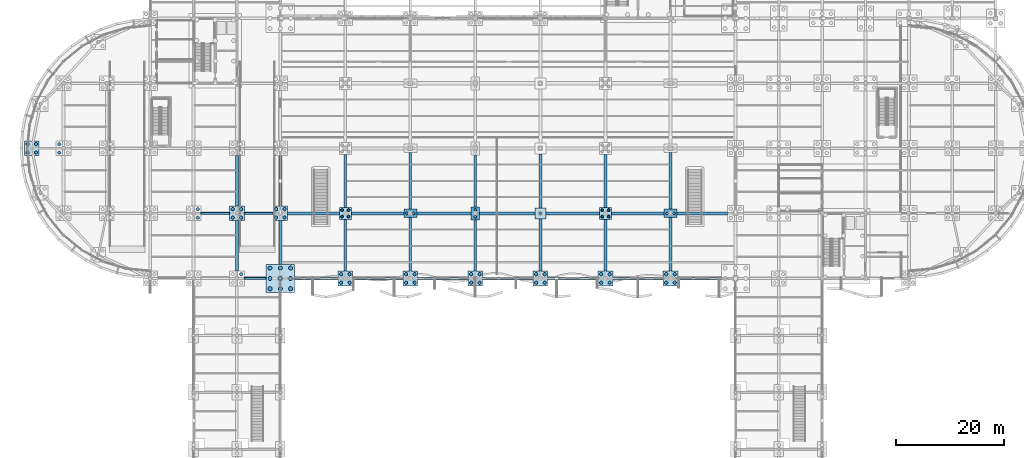
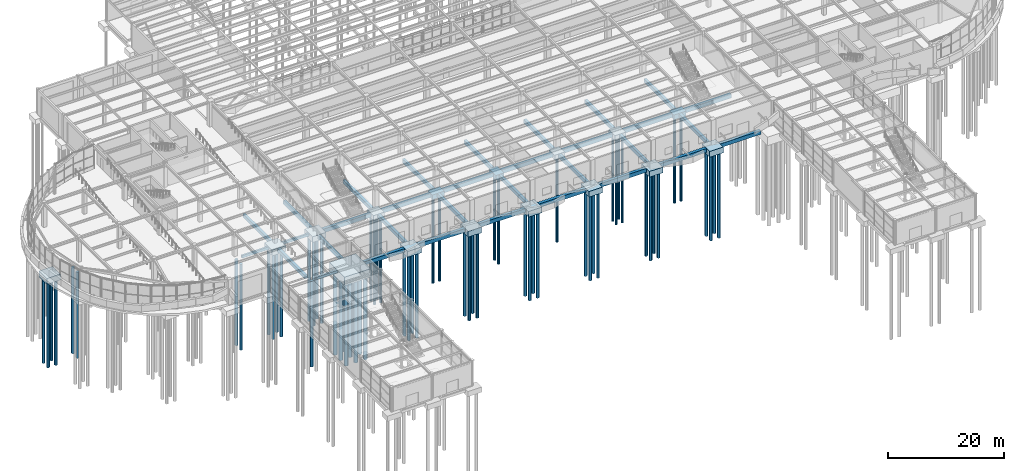
# One storey, part 2 of 85: 65 piles, 49 footings.
"""IFC4 building model written with IfcOpenShell, lengths in metres."""

from ifc_helpers import new_model, si_unit, direction, frame, origin, origin_2d, place, context, subcontext, project, spatial, polyline, rectangle, circle, outline, extrude, material, material_profile, profile_set, type_object, element, save


model = new_model("IFC4")

# Units and contexts
model_context = context("Model", 3, precision=1e-05, world=origin(), true_north=direction((0.0, 1.0)))
body_context = subcontext(model_context, "Body", "Model", "MODEL_VIEW")
ifc_project = project(units=[si_unit("LENGTHUNIT", "METRE"), si_unit("AREAUNIT", "SQUARE_METRE"), si_unit("VOLUMEUNIT", "CUBIC_METRE"), si_unit("PLANEANGLEUNIT", "RADIAN"), si_unit("MASSUNIT", "GRAM", prefix="KILO")], contexts=[model_context])

# Site, building, storey
site_placement = place(None, origin())
site = spatial("IfcSite", under=ifc_project, at=site_placement, CompositionType="ELEMENT")
building_placement = place(site_placement, origin())
building = spatial("IfcBuilding", under=site, at=building_placement, Name="Keelwater Ferry Terminal", CompositionType="ELEMENT")
storey_placement = place(building_placement, origin())
storey = spatial("IfcBuildingStorey", under=building, at=storey_placement, Name="L00", CompositionType="ELEMENT", Elevation=0.0)

# Piles
ifc_material_1 = material(Name="Concrete C45/55", Category="concrete")
ifc_material_profile_1 = material_profile(ifc_material_1, circle(Radius=0.375, at=origin_2d()), Name="PILE D750")
ifc_profile_set_1 = profile_set([ifc_material_profile_1], Name="Concrete C45/55")
pile_type_1 = type_object("IfcPileType", Name="P1 PILE D750", PredefinedType="DRIVEN", material=ifc_profile_set_1)
for number, where, z_axis, x_axis, name in (
    (1, (46.10009765625, 40.10009765625, -2.10009765625), (0.0, 0.0, -1.0), (1.0, 0.0, 0.0), "Driven Pile 0154"),
    (2, (48.0, 40.10009765625, -2.10009765625), (0.0, 0.0, -1.0), (1.0, 0.0, 0.0), "Driven Pile 0155"),
    (3, (49.89990234375, 40.10009765625, -2.10009765625), (0.0, 0.0, -1.0), (1.0, 0.0, 0.0), "Driven Pile 0156"),
    (4, (46.10009765625, 42.0, -2.10009765625), (0.0, 0.0, -1.0), (1.0, 0.0, 0.0), "Driven Pile 0157"),
    (5, (48.0, 42.0, -2.10009765625), (0.0, 0.0, -1.0), (1.0, 0.0, 0.0), "Driven Pile 0158"),
    (6, (49.89990234375, 42.0, -2.10009765625), (0.0, 0.0, -1.0), (1.0, 0.0, 0.0), "Driven Pile 0159"),
    (7, (46.10009765625, 43.89990234375, -2.10009765625), (0.0, 0.0, -1.0), (1.0, 0.0, 0.0), "Driven Pile 0160"),
    (8, (48.0, 43.89990234375, -2.10009765625), (0.0, 0.0, -1.0), (1.0, 0.0, 0.0), "Driven Pile 0161"),
    (9, (49.89990234375, 43.89990234375, -2.10009765625), (0.0, 0.0, -1.0), (1.0, 0.0, 0.0), "Driven Pile 0162"),
):
    element("IfcPile", number, at=place(storey_placement, frame(where, z_axis=z_axis, x_axis=x_axis)), inside=storey, type_object=pile_type_1, Name=name, PredefinedType="DRIVEN", context=body_context, shape_type="SweptSolid", body=[
        extrude(circle(Radius=0.375, at=origin_2d()), origin(), (0.0, 0.0, 1.0), 17.39990234375),
    ])
ifc_material_2 = material(Name="Concrete C45/55", Category="concrete")
ifc_material_profile_2 = material_profile(ifc_material_2, circle(Radius=0.300048828125, at=origin_2d()), Name="PILE D600")
ifc_profile_set_2 = profile_set([ifc_material_profile_2], Name="Concrete C45/55")
pile_type_2 = type_object("IfcPileType", Name="P3 PILE D600", PredefinedType="DRIVEN", material=ifc_profile_set_2)
for number, where, z_axis, x_axis, name in (
    (10, (7.219970703125, 65.219970703125, -1.5), (0.0, 0.0, -1.0), (1.0, 0.0, 0.0), "Driven Pile 0050"),
    (11, (7.219970703125, 66.780029296875, -1.5), (0.0, 0.0, -1.0), (1.0, 0.0, 0.0), "Driven Pile 0052"),
    (12, (32.780029296875, 53.219970703125, -1.5), (0.0, 0.0, -1.0), (1.0, 0.0, 0.0), "Driven Pile 0111"),
    (13, (32.780029296875, 54.780029296875, -1.5), (0.0, 0.0, -1.0), (1.0, 0.0, 0.0), "Driven Pile 0113"),
    (14, (40.780029296875, 42.780029296875, -1.5), (0.0, 0.0, -1.0), (1.0, 0.0, 0.0), "Driven Pile 0133"),
    (15, (39.219970703125, 53.219970703125, -1.5), (0.0, 0.0, -1.0), (1.0, 0.0, 0.0), "Driven Pile 0134"),
    (16, (40.780029296875, 53.219970703125, -1.5), (0.0, 0.0, -1.0), (1.0, 0.0, 0.0), "Driven Pile 0135"),
    (17, (39.219970703125, 54.780029296875, -1.5), (0.0, 0.0, -1.0), (1.0, 0.0, 0.0), "Driven Pile 0136"),
    (18, (40.780029296875, 54.780029296875, -1.5), (0.0, 0.0, -1.0), (1.0, 0.0, 0.0), "Driven Pile 0137"),
    (19, (47.219970703125, 53.219970703125, -1.5), (0.0, 0.0, -1.0), (1.0, 0.0, 0.0), "Driven Pile 0163"),
    (20, (48.780029296875, 53.219970703125, -1.5), (0.0, 0.0, -1.0), (1.0, 0.0, 0.0), "Driven Pile 0164"),
    (21, (47.219970703125, 54.780029296875, -1.5), (0.0, 0.0, -1.0), (1.0, 0.0, 0.0), "Driven Pile 0165"),
    (22, (48.780029296875, 54.780029296875, -1.5), (0.0, 0.0, -1.0), (1.0, 0.0, 0.0), "Driven Pile 0166"),
    (23, (59.219970703125, 41.219970703125, -1.5), (0.0, 0.0, -1.0), (1.0, 0.0, 0.0), "Driven Pile 0188"),
    (24, (60.780029296875, 41.219970703125, -1.5), (0.0, 0.0, -1.0), (1.0, 0.0, 0.0), "Driven Pile 0189"),
    (25, (59.219970703125, 42.780029296875, -1.5), (0.0, 0.0, -1.0), (1.0, 0.0, 0.0), "Driven Pile 0190"),
    (26, (60.780029296875, 42.780029296875, -1.5), (0.0, 0.0, -1.0), (1.0, 0.0, 0.0), "Driven Pile 0191"),
    (27, (71.219970703125, 41.219970703125, -1.5), (0.0, 0.0, -1.0), (1.0, 0.0, 0.0), "Driven Pile 0224"),
    (28, (72.780029296875, 41.219970703125, -1.5), (0.0, 0.0, -1.0), (1.0, 0.0, 0.0), "Driven Pile 0225"),
    (29, (71.219970703125, 42.780029296875, -1.5), (0.0, 0.0, -1.0), (1.0, 0.0, 0.0), "Driven Pile 0226"),
    (30, (72.780029296875, 42.780029296875, -1.5), (0.0, 0.0, -1.0), (1.0, 0.0, 0.0), "Driven Pile 0227"),
    (31, (83.219970703125, 41.219970703125, -1.5), (0.0, 0.0, -1.0), (1.0, 0.0, 0.0), "Driven Pile 0246"),
    (32, (84.780029296875, 41.219970703125, -1.5), (0.0, 0.0, -1.0), (1.0, 0.0, 0.0), "Driven Pile 0247"),
    (33, (83.219970703125, 42.780029296875, -1.5), (0.0, 0.0, -1.0), (1.0, 0.0, 0.0), "Driven Pile 0248"),
    (34, (84.780029296875, 42.780029296875, -1.5), (0.0, 0.0, -1.0), (1.0, 0.0, 0.0), "Driven Pile 0249"),
    (35, (95.219970703125, 41.219970703125, -1.5), (0.0, 0.0, -1.0), (1.0, 0.0, 0.0), "Driven Pile 0268"),
    (36, (96.780029296875, 41.219970703125, -1.5), (0.0, 0.0, -1.0), (1.0, 0.0, 0.0), "Driven Pile 0269"),
    (37, (95.219970703125, 42.780029296875, -1.5), (0.0, 0.0, -1.0), (1.0, 0.0, 0.0), "Driven Pile 0270"),
    (38, (96.780029296875, 42.780029296875, -1.5), (0.0, 0.0, -1.0), (1.0, 0.0, 0.0), "Driven Pile 0271"),
    (39, (107.219970703125, 41.219970703125, -1.5), (0.0, 0.0, -1.0), (1.0, 0.0, 0.0), "Driven Pile 0283"),
    (40, (108.780029296875, 41.219970703125, -1.5), (0.0, 0.0, -1.0), (1.0, 0.0, 0.0), "Driven Pile 0284"),
    (41, (107.219970703125, 42.780029296875, -1.5), (0.0, 0.0, -1.0), (1.0, 0.0, 0.0), "Driven Pile 0285"),
    (42, (108.780029296875, 42.780029296875, -1.5), (0.0, 0.0, -1.0), (1.0, 0.0, 0.0), "Driven Pile 0286"),
    (43, (119.219970703125, 41.219970703125, -1.5), (0.0, 0.0, -1.0), (1.0, 0.0, 0.0), "Driven Pile 0313"),
    (44, (120.780029296875, 41.219970703125, -1.5), (0.0, 0.0, -1.0), (1.0, 0.0, 0.0), "Driven Pile 0314"),
    (45, (119.219970703125, 42.780029296875, -1.5), (0.0, 0.0, -1.0), (1.0, 0.0, 0.0), "Driven Pile 0315"),
    (46, (120.780029296875, 42.780029296875, -1.5), (0.0, 0.0, -1.0), (1.0, 0.0, 0.0), "Driven Pile 0316"),
    (47, (1.3701171875, 65.219970703125, -1.5), (0.0, 0.0, -1.0), (1.0, 0.0, 0.0), "Driven Pile 0623"),
    (48, (2.929931640625, 65.219970703125, -1.5), (0.0, 0.0, -1.0), (1.0, 0.0, 0.0), "Driven Pile 0624"),
    (49, (1.3701171875, 66.780029296875, -1.5), (0.0, 0.0, -1.0), (1.0, 0.0, 0.0), "Driven Pile 0625"),
    (50, (2.929931640625, 66.780029296875, -1.5), (0.0, 0.0, -1.0), (1.0, 0.0, 0.0), "Driven Pile 0626"),
):
    element("IfcPile", number, at=place(storey_placement, frame(where, z_axis=z_axis, x_axis=x_axis)), inside=storey, type_object=pile_type_2, Name=name, PredefinedType="DRIVEN", context=body_context, shape_type="SweptSolid", body=[
        extrude(circle(Radius=0.300048828125, at=origin_2d()), origin(), (0.0, 0.0, 1.0), 18.0),
    ])
ifc_material_3 = material(Name="Concrete C45/55", Category="concrete")
ifc_material_profile_3 = material_profile(ifc_material_3, circle(Radius=0.25, at=origin_2d()), Name="PILE D500")
ifc_profile_set_3 = profile_set([ifc_material_profile_3], Name="Concrete C45/55")
pile_type_3 = type_object("IfcPileType", Name="P4 PILE D500", PredefinedType="DRIVEN", material=ifc_profile_set_3)
for number, where, z_axis, x_axis, name in (
    (51, (71.35009765625, 54.0, -1.300048828125), (0.0, 0.0, -1.0), (1.0, 0.0, 0.0), "Driven Pile 0228"),
    (52, (72.64990234375, 54.0, -1.300048828125), (0.0, 0.0, -1.0), (1.0, 0.0, 0.0), "Driven Pile 0229"),
    (53, (84.0, 53.35009765625, -1.300048828125), (0.0, 0.0, -1.0), (1.0, 0.0, 0.0), "Driven Pile 0250"),
    (54, (84.0, 54.64990234375, -1.300048828125), (0.0, 0.0, -1.0), (1.0, 0.0, 0.0), "Driven Pile 0251"),
    (55, (96.0, 54.0, -1.300048828125), (0.0, 0.0, -1.0), (1.0, 0.0, 0.0), "Driven Pile 0272"),
    (56, (119.35009765625, 54.0, -1.300048828125), (0.0, 0.0, -1.0), (1.0, 0.0, 0.0), "Driven Pile 0317"),
    (57, (120.64990234375, 54.0, -1.300048828125), (0.0, 0.0, -1.0), (1.0, 0.0, 0.0), "Driven Pile 0318"),
):
    element("IfcPile", number, at=place(storey_placement, frame(where, z_axis=z_axis, x_axis=x_axis)), inside=storey, type_object=pile_type_3, Name=name, PredefinedType="DRIVEN", context=body_context, shape_type="SweptSolid", body=[
        extrude(circle(Radius=0.25, at=origin_2d()), origin(), (0.0, 0.0, 1.0), 18.199951171875),
    ])
ifc_material_4 = material(Name="Concrete C45/55", Category="concrete")
ifc_material_profile_4 = material_profile(ifc_material_4, circle(Radius=0.22509765625, at=origin_2d()), Name="PILE D450")
ifc_profile_set_4 = profile_set([ifc_material_profile_4], Name="Concrete C45/55")
pile_type_4 = type_object("IfcPileType", Name="P5 PILE D450", PredefinedType="DRIVEN", material=ifc_profile_set_4)
for number, where, z_axis, x_axis, name in (
    (58, (59.39990234375, 53.39990234375, -1.35009765625), (0.0, 0.0, -1.0), (1.0, 0.0, 0.0), "Driven Pile 0192"),
    (59, (60.60009765625, 53.39990234375, -1.35009765625), (0.0, 0.0, -1.0), (1.0, 0.0, 0.0), "Driven Pile 0193"),
    (60, (59.39990234375, 54.60009765625, -1.35009765625), (0.0, 0.0, -1.0), (1.0, 0.0, 0.0), "Driven Pile 0194"),
    (61, (60.60009765625, 54.60009765625, -1.35009765625), (0.0, 0.0, -1.0), (1.0, 0.0, 0.0), "Driven Pile 0195"),
    (62, (107.39990234375, 53.39990234375, -1.35009765625), (0.0, 0.0, -1.0), (1.0, 0.0, 0.0), "Driven Pile 0287"),
    (63, (108.60009765625, 53.39990234375, -1.35009765625), (0.0, 0.0, -1.0), (1.0, 0.0, 0.0), "Driven Pile 0288"),
    (64, (107.39990234375, 54.60009765625, -1.35009765625), (0.0, 0.0, -1.0), (1.0, 0.0, 0.0), "Driven Pile 0289"),
    (65, (108.60009765625, 54.60009765625, -1.35009765625), (0.0, 0.0, -1.0), (1.0, 0.0, 0.0), "Driven Pile 0290"),
):
    element("IfcPile", number, at=place(storey_placement, frame(where, z_axis=z_axis, x_axis=x_axis)), inside=storey, type_object=pile_type_4, Name=name, PredefinedType="DRIVEN", context=body_context, shape_type="SweptSolid", body=[
        extrude(circle(Radius=0.22509765625, at=origin_2d()), origin(), (0.0, 0.0, 1.0), 18.14990234375),
    ])

# Footings
ifc_material_5 = material(Name="Concrete C40/50", Category="concrete")
footing_type_1 = type_object("IfcFootingType", Name="PC01 2000x2000x1000", PredefinedType="PILE_CAP", material=ifc_material_5)
footing_1_placement = place(storey_placement, frame((0.0, 0.0, -1.39990234375)))
element("IfcFooting", 66, at=footing_1_placement, inside=storey, type_object=footing_type_1, Name="Pile Cap FT-CAP-0073", PredefinedType="PILE_CAP", context=body_context, shape_type="SweptSolid", body=[
    extrude(outline(polyline([(95.0, 53.0), (97.0, 53.0), (97.0, 55.0), (95.0, 55.0), (95.0, 53.0)])), origin(), (0.0, 0.0, 1.0), 1.0),
])
ifc_material_6 = material(Name="Concrete C40/50", Category="concrete")
footing_type_2 = type_object("IfcFootingType", Name="PC04 2700x2700x1200", PredefinedType="PILE_CAP", material=ifc_material_6)
footing_2_placement = place(storey_placement, frame((0.0, 0.0, -1.60009765625)))
element("IfcFooting", 67, at=footing_2_placement, inside=storey, type_object=footing_type_2, Name="Pile Cap FT-CAP-0028", PredefinedType="PILE_CAP", context=body_context, shape_type="SweptSolid", body=[
    extrude(outline(polyline([(38.64990234375, 52.64990234375), (41.35009765625, 52.64990234375), (41.35009765625, 55.35009765625), (38.64990234375, 55.35009765625), (38.64990234375, 52.64990234375)])), origin(), (0.0, 0.0, 1.0), 1.2001953125),
])
footing_3_placement = place(storey_placement, frame((0.0, 0.0, -1.60009765625)))
element("IfcFooting", 68, at=footing_3_placement, inside=storey, type_object=footing_type_2, Name="Pile Cap FT-CAP-0037", PredefinedType="PILE_CAP", context=body_context, shape_type="SweptSolid", body=[
    extrude(outline(polyline([(46.64990234375, 52.64990234375), (49.35009765625, 52.64990234375), (49.35009765625, 55.35009765625), (46.64990234375, 55.35009765625), (46.64990234375, 52.64990234375)])), origin(), (0.0, 0.0, 1.0), 1.2001953125),
])
footing_4_placement = place(storey_placement, frame((0.0, 0.0, -1.60009765625)))
element("IfcFooting", 69, at=footing_4_placement, inside=storey, type_object=footing_type_2, Name="Pile Cap FT-CAP-0045", PredefinedType="PILE_CAP", context=body_context, shape_type="SweptSolid", body=[
    extrude(outline(polyline([(58.64990234375, 40.64990234375), (61.35009765625, 40.64990234375), (61.35009765625, 43.35009765625), (58.64990234375, 43.35009765625), (58.64990234375, 40.64990234375)])), origin(), (0.0, 0.0, 1.0), 1.2001953125),
])
footing_5_placement = place(storey_placement, frame((0.0, 0.0, -1.60009765625)))
element("IfcFooting", 70, at=footing_5_placement, inside=storey, type_object=footing_type_2, Name="Pile Cap FT-CAP-0054", PredefinedType="PILE_CAP", context=body_context, shape_type="SweptSolid", body=[
    extrude(outline(polyline([(70.64990234375, 40.64990234375), (73.35009765625, 40.64990234375), (73.35009765625, 43.35009765625), (70.64990234375, 43.35009765625), (70.64990234375, 40.64990234375)])), origin(), (0.0, 0.0, 1.0), 1.2001953125),
])
footing_6_placement = place(storey_placement, frame((0.0, 0.0, -1.60009765625)))
element("IfcFooting", 71, at=footing_6_placement, inside=storey, type_object=footing_type_2, Name="Pile Cap FT-CAP-0063", PredefinedType="PILE_CAP", context=body_context, shape_type="SweptSolid", body=[
    extrude(outline(polyline([(82.64990234375, 40.64990234375), (85.35009765625, 40.64990234375), (85.35009765625, 43.35009765625), (82.64990234375, 43.35009765625), (82.64990234375, 40.64990234375)])), origin(), (0.0, 0.0, 1.0), 1.2001953125),
])
footing_7_placement = place(storey_placement, frame((0.0, 0.0, -1.60009765625)))
element("IfcFooting", 72, at=footing_7_placement, inside=storey, type_object=footing_type_2, Name="Pile Cap FT-CAP-0072", PredefinedType="PILE_CAP", context=body_context, shape_type="SweptSolid", body=[
    extrude(outline(polyline([(94.64990234375, 40.64990234375), (97.35009765625, 40.64990234375), (97.35009765625, 43.35009765625), (94.64990234375, 43.35009765625), (94.64990234375, 40.64990234375)])), origin(), (0.0, 0.0, 1.0), 1.2001953125),
])
footing_8_placement = place(storey_placement, frame((0.0, 0.0, -1.60009765625)))
element("IfcFooting", 73, at=footing_8_placement, inside=storey, type_object=footing_type_2, Name="Pile Cap FT-CAP-0081", PredefinedType="PILE_CAP", context=body_context, shape_type="SweptSolid", body=[
    extrude(outline(polyline([(106.64990234375, 40.64990234375), (109.35009765625, 40.64990234375), (109.35009765625, 43.35009765625), (106.64990234375, 43.35009765625), (106.64990234375, 40.64990234375)])), origin(), (0.0, 0.0, 1.0), 1.2001953125),
])
footing_9_placement = place(storey_placement, frame((0.0, 0.0, -1.60009765625)))
element("IfcFooting", 74, at=footing_9_placement, inside=storey, type_object=footing_type_2, Name="Pile Cap FT-CAP-0088", PredefinedType="PILE_CAP", context=body_context, shape_type="SweptSolid", body=[
    extrude(outline(polyline([(118.64990234375, 40.64990234375), (121.35009765625, 40.64990234375), (121.35009765625, 43.35009765625), (118.64990234375, 43.35009765625), (118.64990234375, 40.64990234375)])), origin(), (0.0, 0.0, 1.0), 1.2001953125),
])
footing_10_placement = place(storey_placement, frame((0.0, 0.0, -1.60009765625)))
element("IfcFooting", 75, at=footing_10_placement, inside=storey, type_object=footing_type_2, Name="Pile Cap FT-CAP-0158", PredefinedType="PILE_CAP", context=body_context, shape_type="SweptSolid", body=[
    extrude(outline(polyline([(0.800048828125, 64.64990234375), (3.5, 64.64990234375), (3.5, 67.35009765625), (0.800048828125, 67.35009765625), (0.800048828125, 64.64990234375)])), origin(), (0.0, 0.0, 1.0), 1.2001953125),
])
ifc_material_7 = material(Name="Concrete C40/50", Category="concrete")
footing_type_3 = type_object("IfcFootingType", Name="PC09 5200x5200x1800", PredefinedType="PILE_CAP", material=ifc_material_7)
footing_11_placement = place(storey_placement, frame((0.0, 0.0, -2.199951171875)))
element("IfcFooting", 76, at=footing_11_placement, inside=storey, type_object=footing_type_3, Name="Pile Cap FT-CAP-0036", PredefinedType="PILE_CAP", context=body_context, shape_type="SweptSolid", body=[
    extrude(outline(polyline([(45.39990234375, 39.39990234375), (50.60009765625, 39.39990234375), (50.60009765625, 44.60009765625), (45.39990234375, 44.60009765625), (45.39990234375, 39.39990234375)])), origin(), (0.0, 0.0, 1.0), 1.800048828125),
])
ifc_material_8 = material(Name="Concrete C40/50", Category="concrete")
footing_type_4 = type_object("IfcFootingType", Name="PC10 2200x2200x1050", PredefinedType="PILE_CAP", material=ifc_material_8)
footing_12_placement = place(storey_placement, frame((0.0, 0.0, -1.449951171875)))
element("IfcFooting", 77, at=footing_12_placement, inside=storey, type_object=footing_type_4, Name="Pile Cap FT-CAP-0046", PredefinedType="PILE_CAP", context=body_context, shape_type="SweptSolid", body=[
    extrude(outline(polyline([(58.89990234375, 52.89990234375), (61.10009765625, 52.89990234375), (61.10009765625, 55.10009765625), (58.89990234375, 55.10009765625), (58.89990234375, 52.89990234375)])), origin(), (0.0, 0.0, 1.0), 1.050048828125),
])
footing_13_placement = place(storey_placement, frame((0.0, 0.0, -1.449951171875)))
element("IfcFooting", 78, at=footing_13_placement, inside=storey, type_object=footing_type_4, Name="Pile Cap FT-CAP-0082", PredefinedType="PILE_CAP", context=body_context, shape_type="SweptSolid", body=[
    extrude(outline(polyline([(106.89990234375, 52.89990234375), (109.10009765625, 52.89990234375), (109.10009765625, 55.10009765625), (106.89990234375, 55.10009765625), (106.89990234375, 52.89990234375)])), origin(), (0.0, 0.0, 1.0), 1.050048828125),
])
ifc_material_9 = material(Name="Concrete C40/50", Category="concrete")
footing_type_5 = type_object("IfcFootingType", Name="PC11 2400x1600x1000", PredefinedType="PILE_CAP", material=ifc_material_9)
footing_14_placement = place(storey_placement, frame((0.0, 0.0, -1.39990234375)))
element("IfcFooting", 79, at=footing_14_placement, inside=storey, type_object=footing_type_5, Name="Pile Cap FT-CAP-0055", PredefinedType="PILE_CAP", context=body_context, shape_type="SweptSolid", body=[
    extrude(outline(polyline([(70.800048828125, 53.199951171875), (73.199951171875, 53.199951171875), (73.199951171875, 54.800048828125), (70.800048828125, 54.800048828125), (70.800048828125, 53.199951171875)])), origin(), (0.0, 0.0, 1.0), 1.0),
])
footing_15_placement = place(storey_placement, frame((0.0, 0.0, -1.39990234375)))
element("IfcFooting", 80, at=footing_15_placement, inside=storey, type_object=footing_type_5, Name="Pile Cap FT-CAP-0089", PredefinedType="PILE_CAP", context=body_context, shape_type="SweptSolid", body=[
    extrude(outline(polyline([(118.800048828125, 53.199951171875), (121.199951171875, 53.199951171875), (121.199951171875, 54.800048828125), (118.800048828125, 54.800048828125), (118.800048828125, 53.199951171875)])), origin(), (0.0, 0.0, 1.0), 1.0),
])
ifc_material_10 = material(Name="Concrete C40/50", Category="concrete")
footing_type_6 = type_object("IfcFootingType", Name="PC12 1600x2400x1000", PredefinedType="PILE_CAP", material=ifc_material_10)
footing_16_placement = place(storey_placement, frame((0.0, 0.0, -1.39990234375)))
element("IfcFooting", 81, at=footing_16_placement, inside=storey, type_object=footing_type_6, Name="Pile Cap FT-CAP-0064", PredefinedType="PILE_CAP", context=body_context, shape_type="SweptSolid", body=[
    extrude(outline(polyline([(83.199951171875, 52.800048828125), (84.800048828125, 52.800048828125), (84.800048828125, 55.199951171875), (83.199951171875, 55.199951171875), (83.199951171875, 52.800048828125)])), origin(), (0.0, 0.0, 1.0), 1.0),
])
ifc_material_11 = material(Name="Concrete C40/50", Category="concrete")
ifc_material_profile_5 = material_profile(ifc_material_11, rectangle(XDim=0.60009765625, YDim=0.800048828125, at=origin_2d()), Name="TB 600x800")
ifc_profile_set_5 = profile_set([ifc_material_profile_5], Name="Concrete C40/50")
footing_type_7 = type_object("IfcFootingType", Name="TB1 600x800", PredefinedType="FOOTING_BEAM", material=ifc_profile_set_5)
footing_17_placement = place(storey_placement, frame((50.60009765625, 42.0, -0.800048828125), z_axis=(1.0, 0.0, 0.0), x_axis=(0.0, 1.0, 0.0)))
element("IfcFooting", 82, at=footing_17_placement, inside=storey, type_object=footing_type_7, Name="Ground Tie Beam 0020", PredefinedType="FOOTING_BEAM", context=body_context, shape_type="SweptSolid", body=[
    extrude(rectangle(XDim=0.60009765625, YDim=0.800048828125, at=origin_2d()), origin(), (0.0, 0.0, 1.0), 8.0498046875),
])
for number, where, z_axis, x_axis, name in (
    (83, (61.35009765625, 42.0, -0.800048828125), (1.0, 0.0, 0.0), (0.0, 1.0, 0.0), "Ground Tie Beam 0021"),
    (84, (73.35009765625, 42.0, -0.800048828125), (1.0, 0.0, 0.0), (0.0, 1.0, 0.0), "Ground Tie Beam 0022"),
    (85, (85.35009765625, 42.0, -0.800048828125), (1.0, 0.0, 0.0), (0.0, 1.0, 0.0), "Ground Tie Beam 0023"),
    (86, (97.35009765625, 42.0, -0.800048828125), (1.0, 0.0, 0.0), (0.0, 1.0, 0.0), "Ground Tie Beam 0024"),
    (87, (109.35009765625, 42.0, -0.800048828125), (1.0, 0.0, 0.0), (0.0, 1.0, 0.0), "Ground Tie Beam 0025"),
):
    element("IfcFooting", number, at=place(storey_placement, frame(where, z_axis=z_axis, x_axis=x_axis)), inside=storey, type_object=footing_type_7, Name=name, PredefinedType="FOOTING_BEAM", context=body_context, shape_type="SweptSolid", body=[
        extrude(rectangle(XDim=0.60009765625, YDim=0.800048828125, at=origin_2d()), origin(), (0.0, 0.0, 1.0), 9.2998046875),
    ])
footing_18_placement = place(storey_placement, frame((121.35009765625, 42.0, -0.800048828125), z_axis=(1.0, 0.0, 0.0), x_axis=(0.0, 1.0, 0.0)))
element("IfcFooting", 88, at=footing_18_placement, inside=storey, type_object=footing_type_7, Name="Ground Tie Beam 0026", PredefinedType="FOOTING_BEAM", context=body_context, shape_type="SweptSolid", body=[
    extrude(rectangle(XDim=0.60009765625, YDim=0.800048828125, at=origin_2d()), origin(), (0.0, 0.0, 1.0), 8.0498046875),
])
footing_19_placement = place(storey_placement, frame((49.35009765625, 54.0, -0.800048828125), z_axis=(1.0, 0.0, 0.0), x_axis=(0.0, 1.0, 0.0)))
element("IfcFooting", 89, at=footing_19_placement, inside=storey, type_object=footing_type_7, Name="Ground Tie Beam 0035", PredefinedType="FOOTING_BEAM", context=body_context, shape_type="SweptSolid", body=[
    extrude(rectangle(XDim=0.60009765625, YDim=0.800048828125, at=origin_2d()), origin(), (0.0, 0.0, 1.0), 9.5498046875),
])
footing_20_placement = place(storey_placement, frame((61.10009765625, 54.0, -0.800048828125), z_axis=(1.0, 0.0, 0.0), x_axis=(0.0, 1.0, 0.0)))
element("IfcFooting", 90, at=footing_20_placement, inside=storey, type_object=footing_type_7, Name="Ground Tie Beam 0036", PredefinedType="FOOTING_BEAM", context=body_context, shape_type="SweptSolid", body=[
    extrude(rectangle(XDim=0.60009765625, YDim=0.800048828125, at=origin_2d()), origin(), (0.0, 0.0, 1.0), 9.699951171875),
])
footing_21_placement = place(storey_placement, frame((73.199951171875, 54.0, -0.800048828125), z_axis=(1.0, 0.0, 0.0), x_axis=(0.0, 1.0, 0.0)))
element("IfcFooting", 91, at=footing_21_placement, inside=storey, type_object=footing_type_7, Name="Ground Tie Beam 0037", PredefinedType="FOOTING_BEAM", context=body_context, shape_type="SweptSolid", body=[
    extrude(rectangle(XDim=0.60009765625, YDim=0.800048828125, at=origin_2d()), origin(), (0.0, 0.0, 1.0), 10.0),
])
footing_22_placement = place(storey_placement, frame((84.800048828125, 54.0, -0.800048828125), z_axis=(1.0, 0.0, 0.0), x_axis=(0.0, 1.0, 0.0)))
element("IfcFooting", 92, at=footing_22_placement, inside=storey, type_object=footing_type_7, Name="Ground Tie Beam 0038", PredefinedType="FOOTING_BEAM", context=body_context, shape_type="SweptSolid", body=[
    extrude(rectangle(XDim=0.60009765625, YDim=0.800048828125, at=origin_2d()), origin(), (0.0, 0.0, 1.0), 10.199951171875),
])
footing_23_placement = place(storey_placement, frame((97.0, 54.0, -0.800048828125), z_axis=(1.0, 0.0, 0.0), x_axis=(0.0, 1.0, 0.0)))
element("IfcFooting", 93, at=footing_23_placement, inside=storey, type_object=footing_type_7, Name="Ground Tie Beam 0039", PredefinedType="FOOTING_BEAM", context=body_context, shape_type="SweptSolid", body=[
    extrude(rectangle(XDim=0.60009765625, YDim=0.800048828125, at=origin_2d()), origin(), (0.0, 0.0, 1.0), 9.89990234375),
])
footing_24_placement = place(storey_placement, frame((109.10009765625, 54.0, -0.800048828125), z_axis=(1.0, 0.0, 0.0), x_axis=(0.0, 1.0, 0.0)))
element("IfcFooting", 94, at=footing_24_placement, inside=storey, type_object=footing_type_7, Name="Ground Tie Beam 0040", PredefinedType="FOOTING_BEAM", context=body_context, shape_type="SweptSolid", body=[
    extrude(rectangle(XDim=0.60009765625, YDim=0.800048828125, at=origin_2d()), origin(), (0.0, 0.0, 1.0), 9.699951171875),
])
footing_25_placement = place(storey_placement, frame((121.199951171875, 54.0, -0.800048828125), z_axis=(1.0, 0.0, 0.0), x_axis=(0.0, 1.0, 0.0)))
element("IfcFooting", 95, at=footing_25_placement, inside=storey, type_object=footing_type_7, Name="Ground Tie Beam 0041", PredefinedType="FOOTING_BEAM", context=body_context, shape_type="SweptSolid", body=[
    extrude(rectangle(XDim=0.60009765625, YDim=0.800048828125, at=origin_2d()), origin(), (0.0, 0.0, 1.0), 9.300048828125),
])
ifc_material_12 = material(Name="Concrete C40/50", Category="concrete")
ifc_material_profile_6 = material_profile(ifc_material_12, rectangle(XDim=0.5, YDim=0.75, at=origin_2d()), Name="TB 500x750")
ifc_profile_set_6 = profile_set([ifc_material_profile_6], Name="Concrete C40/50")
footing_type_8 = type_object("IfcFootingType", Name="TB2 500x750", PredefinedType="FOOTING_BEAM", material=ifc_profile_set_6)
for number, where, z_axis, x_axis, name in (
    (96, (40.0, 43.35009765625, -0.77490234375), (0.0, 1.0, 0.0), (-1.0, 0.0, 0.0), "Ground Tie Beam 0169"),
    (97, (40.0, 55.35009765625, -0.77490234375), (0.0, 1.0, 0.0), (-1.0, 0.0, 0.0), "Ground Tie Beam 0170"),
):
    element("IfcFooting", number, at=place(storey_placement, frame(where, z_axis=z_axis, x_axis=x_axis)), inside=storey, type_object=footing_type_8, Name=name, PredefinedType="FOOTING_BEAM", context=body_context, shape_type="SweptSolid", body=[
        extrude(rectangle(XDim=0.5, YDim=0.75, at=origin_2d()), origin(), (0.0, 0.0, 1.0), 9.2998046875),
    ])
footing_26_placement = place(storey_placement, frame((48.0, 44.60009765625, -0.77490234375), z_axis=(0.0, 1.0, 0.0), x_axis=(-1.0, 0.0, 0.0)))
element("IfcFooting", 98, at=footing_26_placement, inside=storey, type_object=footing_type_8, Name="Ground Tie Beam 0178", PredefinedType="FOOTING_BEAM", context=body_context, shape_type="SweptSolid", body=[
    extrude(rectangle(XDim=0.5, YDim=0.75, at=origin_2d()), origin(), (0.0, 0.0, 1.0), 8.0498046875),
])
footing_27_placement = place(storey_placement, frame((48.0, 55.35009765625, -0.77490234375), z_axis=(0.0, 1.0, 0.0), x_axis=(-1.0, 0.0, 0.0)))
element("IfcFooting", 99, at=footing_27_placement, inside=storey, type_object=footing_type_8, Name="Ground Tie Beam 0179", PredefinedType="FOOTING_BEAM", context=body_context, shape_type="SweptSolid", body=[
    extrude(rectangle(XDim=0.5, YDim=0.75, at=origin_2d()), origin(), (0.0, 0.0, 1.0), 9.2998046875),
])
footing_28_placement = place(storey_placement, frame((60.0, 43.35009765625, -0.77490234375), z_axis=(0.0, 1.0, 0.0), x_axis=(-1.0, 0.0, 0.0)))
element("IfcFooting", 100, at=footing_28_placement, inside=storey, type_object=footing_type_8, Name="Ground Tie Beam 0186", PredefinedType="FOOTING_BEAM", context=body_context, shape_type="SweptSolid", body=[
    extrude(rectangle(XDim=0.5, YDim=0.75, at=origin_2d()), origin(), (0.0, 0.0, 1.0), 9.5498046875),
])
footing_29_placement = place(storey_placement, frame((60.0, 55.10009765625, -0.77490234375), z_axis=(0.0, 1.0, 0.0), x_axis=(-1.0, 0.0, 0.0)))
element("IfcFooting", 101, at=footing_29_placement, inside=storey, type_object=footing_type_8, Name="Ground Tie Beam 0187", PredefinedType="FOOTING_BEAM", context=body_context, shape_type="SweptSolid", body=[
    extrude(rectangle(XDim=0.5, YDim=0.75, at=origin_2d()), origin(), (0.0, 0.0, 1.0), 9.7998046875),
])
footing_30_placement = place(storey_placement, frame((72.0, 43.35009765625, -0.77490234375), z_axis=(0.0, 1.0, 0.0), x_axis=(-1.0, 0.0, 0.0)))
element("IfcFooting", 102, at=footing_30_placement, inside=storey, type_object=footing_type_8, Name="Ground Tie Beam 0194", PredefinedType="FOOTING_BEAM", context=body_context, shape_type="SweptSolid", body=[
    extrude(rectangle(XDim=0.5, YDim=0.75, at=origin_2d()), origin(), (0.0, 0.0, 1.0), 9.849853515625),
])
footing_31_placement = place(storey_placement, frame((72.0, 54.800048828125, -0.77490234375), z_axis=(0.0, 1.0, 0.0), x_axis=(-1.0, 0.0, 0.0)))
element("IfcFooting", 103, at=footing_31_placement, inside=storey, type_object=footing_type_8, Name="Ground Tie Beam 0195", PredefinedType="FOOTING_BEAM", context=body_context, shape_type="SweptSolid", body=[
    extrude(rectangle(XDim=0.5, YDim=0.75, at=origin_2d()), origin(), (0.0, 0.0, 1.0), 10.39990234375),
])
footing_32_placement = place(storey_placement, frame((84.0, 43.35009765625, -0.77490234375), z_axis=(0.0, 1.0, 0.0), x_axis=(-1.0, 0.0, 0.0)))
element("IfcFooting", 104, at=footing_32_placement, inside=storey, type_object=footing_type_8, Name="Ground Tie Beam 0202", PredefinedType="FOOTING_BEAM", context=body_context, shape_type="SweptSolid", body=[
    extrude(rectangle(XDim=0.5, YDim=0.75, at=origin_2d()), origin(), (0.0, 0.0, 1.0), 9.449951171875),
])
footing_33_placement = place(storey_placement, frame((84.0, 55.199951171875, -0.77490234375), z_axis=(0.0, 1.0, 0.0), x_axis=(-1.0, 0.0, 0.0)))
element("IfcFooting", 105, at=footing_33_placement, inside=storey, type_object=footing_type_8, Name="Ground Tie Beam 0203", PredefinedType="FOOTING_BEAM", context=body_context, shape_type="SweptSolid", body=[
    extrude(rectangle(XDim=0.5, YDim=0.75, at=origin_2d()), origin(), (0.0, 0.0, 1.0), 9.60009765625),
])
footing_34_placement = place(storey_placement, frame((96.0, 43.35009765625, -0.77490234375), z_axis=(0.0, 1.0, 0.0), x_axis=(-1.0, 0.0, 0.0)))
element("IfcFooting", 106, at=footing_34_placement, inside=storey, type_object=footing_type_8, Name="Ground Tie Beam 0210", PredefinedType="FOOTING_BEAM", context=body_context, shape_type="SweptSolid", body=[
    extrude(rectangle(XDim=0.5, YDim=0.75, at=origin_2d()), origin(), (0.0, 0.0, 1.0), 9.64990234375),
])
footing_35_placement = place(storey_placement, frame((96.0, 55.0, -0.77490234375), z_axis=(0.0, 1.0, 0.0), x_axis=(-1.0, 0.0, 0.0)))
element("IfcFooting", 107, at=footing_35_placement, inside=storey, type_object=footing_type_8, Name="Ground Tie Beam 0211", PredefinedType="FOOTING_BEAM", context=body_context, shape_type="SweptSolid", body=[
    extrude(rectangle(XDim=0.5, YDim=0.75, at=origin_2d()), origin(), (0.0, 0.0, 1.0), 10.0),
])
footing_36_placement = place(storey_placement, frame((108.0, 43.35009765625, -0.77490234375), z_axis=(0.0, 1.0, 0.0), x_axis=(-1.0, 0.0, 0.0)))
element("IfcFooting", 108, at=footing_36_placement, inside=storey, type_object=footing_type_8, Name="Ground Tie Beam 0218", PredefinedType="FOOTING_BEAM", context=body_context, shape_type="SweptSolid", body=[
    extrude(rectangle(XDim=0.5, YDim=0.75, at=origin_2d()), origin(), (0.0, 0.0, 1.0), 9.5498046875),
])
footing_37_placement = place(storey_placement, frame((108.0, 55.10009765625, -0.77490234375), z_axis=(0.0, 1.0, 0.0), x_axis=(-1.0, 0.0, 0.0)))
element("IfcFooting", 109, at=footing_37_placement, inside=storey, type_object=footing_type_8, Name="Ground Tie Beam 0219", PredefinedType="FOOTING_BEAM", context=body_context, shape_type="SweptSolid", body=[
    extrude(rectangle(XDim=0.5, YDim=0.75, at=origin_2d()), origin(), (0.0, 0.0, 1.0), 9.7998046875),
])
footing_38_placement = place(storey_placement, frame((120.0, 43.35009765625, -0.77490234375), z_axis=(0.0, 1.0, 0.0), x_axis=(-1.0, 0.0, 0.0)))
element("IfcFooting", 110, at=footing_38_placement, inside=storey, type_object=footing_type_8, Name="Ground Tie Beam 0225", PredefinedType="FOOTING_BEAM", context=body_context, shape_type="SweptSolid", body=[
    extrude(rectangle(XDim=0.5, YDim=0.75, at=origin_2d()), origin(), (0.0, 0.0, 1.0), 9.849853515625),
])
footing_39_placement = place(storey_placement, frame((120.0, 54.800048828125, -0.77490234375), z_axis=(0.0, 1.0, 0.0), x_axis=(-1.0, 0.0, 0.0)))
element("IfcFooting", 111, at=footing_39_placement, inside=storey, type_object=footing_type_8, Name="Ground Tie Beam 0226", PredefinedType="FOOTING_BEAM", context=body_context, shape_type="SweptSolid", body=[
    extrude(rectangle(XDim=0.5, YDim=0.75, at=origin_2d()), origin(), (0.0, 0.0, 1.0), 10.39990234375),
])
ifc_material_13 = material(Name="Concrete C40/50", Category="concrete")
ifc_material_profile_7 = material_profile(ifc_material_13, rectangle(XDim=0.35009765625, YDim=0.550048828125, at=origin_2d()), Name="TB 350x550")
ifc_profile_set_7 = profile_set([ifc_material_profile_7], Name="Concrete C40/50")
footing_type_9 = type_object("IfcFootingType", Name="TB7 350x550", PredefinedType="FOOTING_BEAM", material=ifc_profile_set_7)
footing_40_placement = place(storey_placement, frame((41.35009765625, 42.0, -0.675048828125), z_axis=(1.0, 0.0, 0.0), x_axis=(0.0, 1.0, 0.0)))
element("IfcFooting", 112, at=footing_40_placement, inside=storey, type_object=footing_type_9, Name="Ground Tie Beam 0019", PredefinedType="FOOTING_BEAM", context=body_context, shape_type="SweptSolid", body=[
    extrude(rectangle(XDim=0.35009765625, YDim=0.550048828125, at=origin_2d()), origin(), (0.0, 0.0, 1.0), 4.0498046875),
])
for number, where, z_axis, x_axis, name in (
    (113, (33.35009765625, 54.0, -0.675048828125), (1.0, 0.0, 0.0), (0.0, 1.0, 0.0), "Ground Tie Beam 0033"),
    (114, (41.35009765625, 54.0, -0.675048828125), (1.0, 0.0, 0.0), (0.0, 1.0, 0.0), "Ground Tie Beam 0034"),
):
    element("IfcFooting", number, at=place(storey_placement, frame(where, z_axis=z_axis, x_axis=x_axis)), inside=storey, type_object=footing_type_9, Name=name, PredefinedType="FOOTING_BEAM", context=body_context, shape_type="SweptSolid", body=[
        extrude(rectangle(XDim=0.35009765625, YDim=0.550048828125, at=origin_2d()), origin(), (0.0, 0.0, 1.0), 5.2998046875),
    ])

save(model, "model.ifc")
